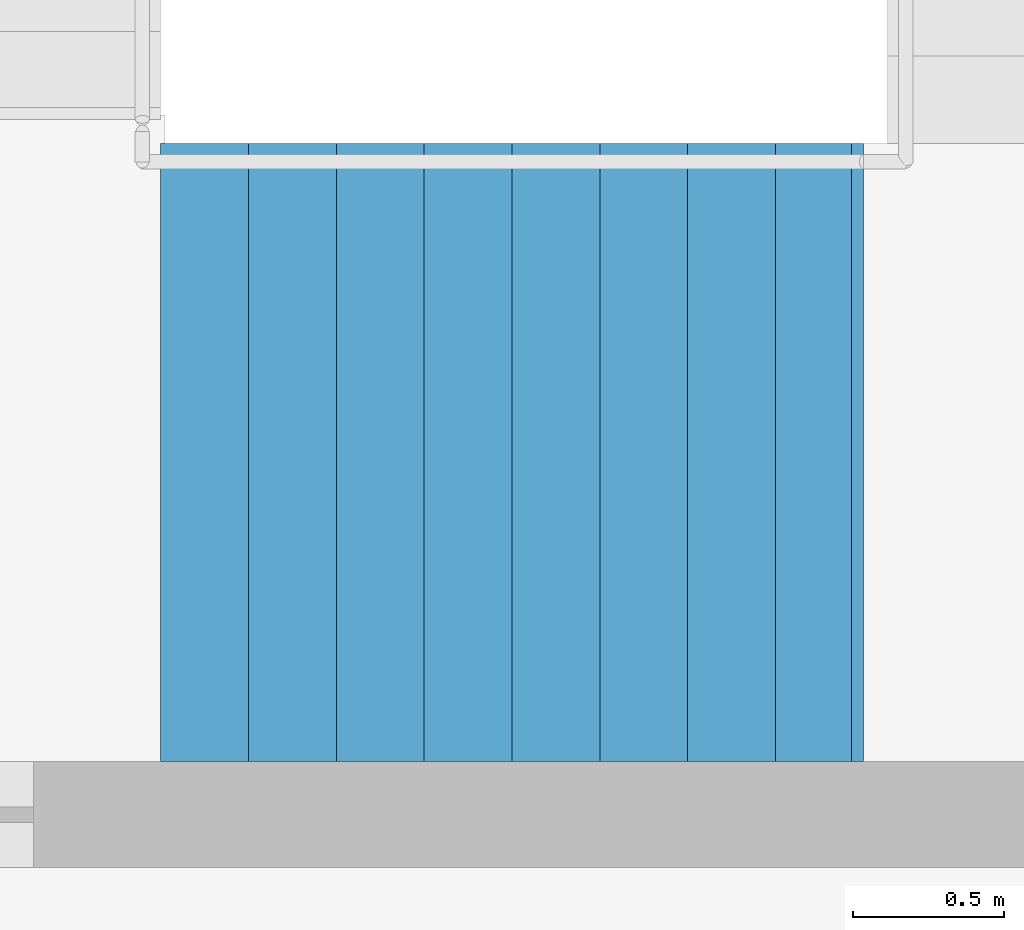
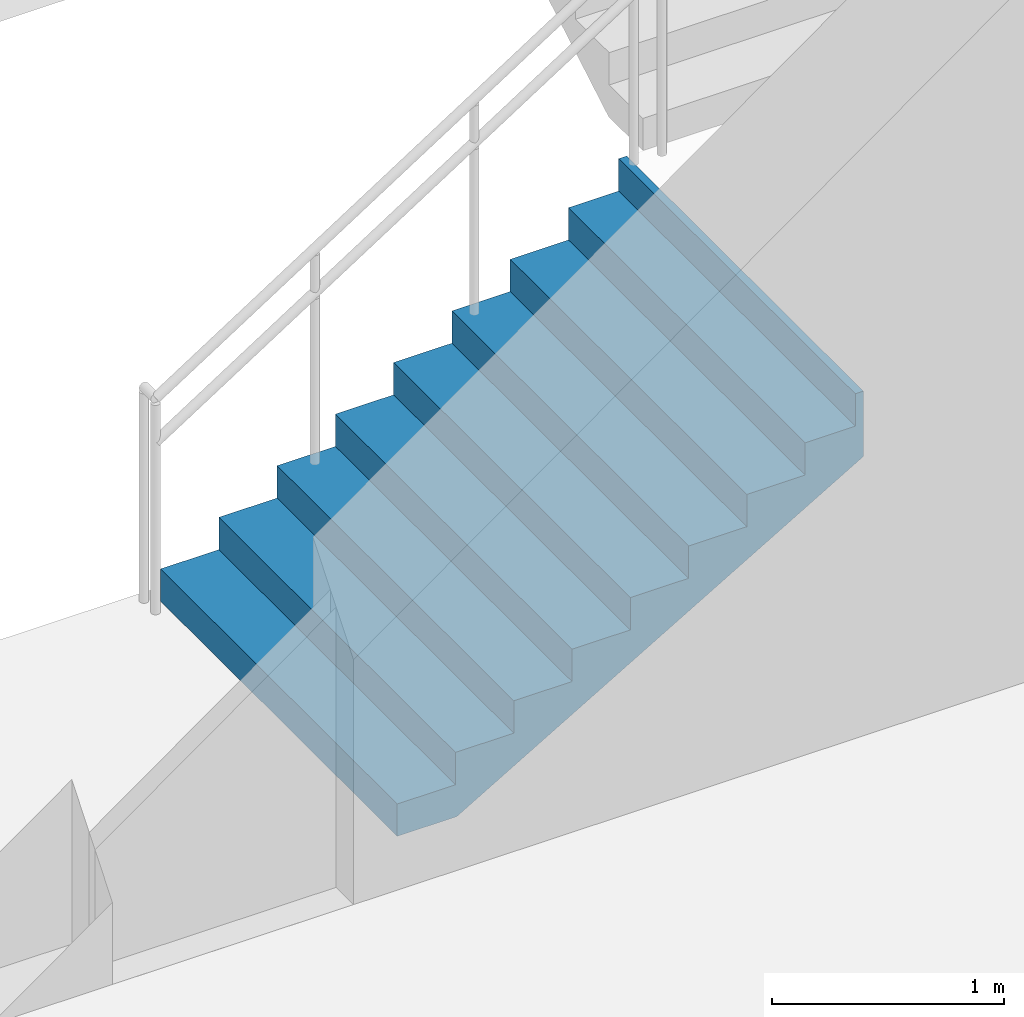
# One storey, part 46 of 58: 1 stair flight, 1 element without a shape of its own.
"""IFC4 building model written with IfcOpenShell, lengths in metres."""

import ifcopenshell
import ifcopenshell.guid

model = None  # the IFC model being written
_history = None  # IfcOwnerHistory: only IFC2X3 demands one
_inside = {}  # id of a spatial element -> (the spatial element, [elements in it])
_under = {}  # id of a project, library or spatial element -> (it, [spatial elements below it])
_declared = {}  # id of a project -> (the project, [libraries it declares])
_typed = {}  # id of a type object -> (the type object, [elements of that type])
_made_of = {}  # id of a material, layer set ... -> (it, [elements and type objects made of it])


def new_model(schema):
    """Start an empty IFC model of exactly this schema.

    Asked for "IFC4X3", IfcOpenShell would pick the latest addendum, in which some entities
    have other attributes; the version numbers below select the first issue.
    IFC2X3 requires an IfcOwnerHistory on every rooted entity: one is made here for all.
    """
    global model, _history
    if schema == "IFC4X3":
        model = ifcopenshell.file(schema_version=(4, 3, 0, 0))
    else:
        model = ifcopenshell.file(schema=schema)
    _inside.clear()
    _under.clear()
    _declared.clear()
    _typed.clear()
    _made_of.clear()
    _history = None
    if model.schema == "IFC2X3":
        org = make("IfcOrganization", Name="unknown")
        user = make(
            "IfcPersonAndOrganization",
            ThePerson=make("IfcPerson", FamilyName="unknown"),
            TheOrganization=org,
        )
        app = make(
            "IfcApplication",
            ApplicationDeveloper=org,
            Version="unknown",
            ApplicationFullName="unknown",
            ApplicationIdentifier="unknown",
        )
        _history = make(
            "IfcOwnerHistory",
            OwningUser=user,
            OwningApplication=app,
            ChangeAction="ADDED",
            CreationDate=0,
        )
    return model


def make(cls, **values):
    """One entity of the class cls with the attributes given. An attribute that is None is left unset."""
    return model.create_entity(
        cls, **{name: value for name, value in values.items() if value is not None}
    )


def rooted(cls, **values):
    """An entity with a GlobalId (a new one), such as an element, a storey or a relation."""
    return make(cls, GlobalId=ifcopenshell.guid.new(), OwnerHistory=_history, **values)


def si_unit(unit_type, name, prefix=None):
    """IfcSIUnit, for example si_unit("LENGTHUNIT", "METRE", prefix="MILLI")."""
    return make("IfcSIUnit", UnitType=unit_type, Prefix=prefix, Name=name)


def assignment(units):
    """IfcUnitAssignment: the units of a project."""
    return None if units is None else make("IfcUnitAssignment", Units=units)


def point(xyz):
    """IfcCartesianPoint."""
    return None if xyz is None else make("IfcCartesianPoint", Coordinates=xyz)


def direction(xyz):
    """IfcDirection."""
    return None if xyz is None else make("IfcDirection", DirectionRatios=xyz)


def frame(location, z_axis=None, x_axis=None):
    """IfcAxis2Placement3D, a coordinate frame: its origin and axes. An axis left out is left unset."""
    return make(
        "IfcAxis2Placement3D",
        Location=point(location),
        Axis=direction(z_axis),
        RefDirection=direction(x_axis),
    )


def origin():
    """The frame at (0, 0, 0) with its axes left unset."""
    return frame((0.0, 0.0, 0.0))


def place(relative_to, where):
    """IfcLocalPlacement: puts the frame where relative to a parent placement (None: the world)."""
    return make(
        "IfcLocalPlacement", PlacementRelTo=relative_to, RelativePlacement=where
    )


def context(
    kind, dimensions, precision=None, world=None, true_north=None, identifier=None
):
    """IfcGeometricRepresentationContext, for example the 3D "Model" context."""
    return make(
        "IfcGeometricRepresentationContext",
        ContextIdentifier=identifier,
        ContextType=kind,
        CoordinateSpaceDimension=dimensions,
        Precision=precision,
        WorldCoordinateSystem=world,
        TrueNorth=true_north,
    )


def subcontext(parent, identifier, kind, view, scale=None):
    """IfcGeometricRepresentationSubContext, for example "Body" below "Model"."""
    return make(
        "IfcGeometricRepresentationSubContext",
        ContextIdentifier=identifier,
        ContextType=kind,
        ParentContext=parent,
        TargetScale=scale,
        TargetView=view,
    )


def project(units=None, contexts=None):
    """IfcProject with its units and contexts."""
    return rooted(
        "IfcProject",
        Name="project",
        RepresentationContexts=contexts,
        UnitsInContext=assignment(units),
    )


def spatial(cls, under=None, at=None, **own):
    """A site, building, storey or space (cls), placed at a placement, below another one or the project."""
    s = rooted(cls, ObjectPlacement=at, **own)
    if under is not None:
        _under.setdefault(under.id(), (under, []))[1].append(s)
    return s


def point_list(points):
    """IfcCartesianPointList2D or 3D."""
    cls = (
        "IfcCartesianPointList2D" if len(points[0]) == 2 else "IfcCartesianPointList3D"
    )
    return make(cls, CoordList=points)


def triangles(points, corners, closed=None, point_numbers=None):
    """IfcTriangulatedFaceSet: each triangle names its three corners, points numbered from 1."""
    return make(
        "IfcTriangulatedFaceSet",
        Coordinates=point_list(points),
        Closed=closed,
        CoordIndex=corners,
        PnIndex=point_numbers,
    )


def shape(context_of_items, identifier, shape_type, items):
    """IfcShapeRepresentation: the items that make up one representation, for example the "Body"."""
    return make(
        "IfcShapeRepresentation",
        ContextOfItems=context_of_items,
        RepresentationIdentifier=identifier,
        RepresentationType=shape_type,
        Items=items,
    )


def material(Name=None, Category=None):
    """IfcMaterial."""
    return make("IfcMaterial", Name=Name, Category=Category)


def made_of(thing, what):
    """Note that an element or type object is made of a material, layer set ...; save() writes the relation."""
    if what is not None:
        _made_of.setdefault(what.id(), (what, []))[1].append(thing)
    return thing


def type_object(cls, material=None, **own):
    """A type object (cls), such as IfcWallType, which elements share."""
    return made_of(rooted(cls, **own), material)


def element(
    cls,
    number,
    at=None,
    inside=None,
    cuts=None,
    type_object=None,
    material=None,
    context=None,
    identifier="Body",
    shape_type=None,
    held_by="IfcProductDefinitionShape",
    body=None,
    shapes=None,
    **own,
):
    """One element of the class cls, such as IfcWall. Its Tag is "e" and its number.

    at: its placement. inside: the storey or other place that contains it. cuts: it is an
    opening in that element (IfcRelVoidsElement). A single representation is given by context,
    identifier, shape_type and body (its items); several are given by shapes. held_by: the class
    of the entity that holds the representations. save() writes the other relations.
    """
    e = rooted(cls, Tag="e%d" % number, ObjectPlacement=at, **own)
    if body is not None:
        shapes = [shape(context, identifier, shape_type, body)]
    if shapes is not None:
        e.Representation = make(held_by, Representations=shapes)
    if inside is not None:
        _inside.setdefault(inside.id(), (inside, []))[1].append(e)
    if cuts is not None:
        rooted(
            "IfcRelVoidsElement", RelatingBuildingElement=cuts, RelatedOpeningElement=e
        )
    if type_object is not None:
        _typed.setdefault(type_object.id(), (type_object, []))[1].append(e)
    return made_of(e, material)


def aggregate(whole, parts):
    """IfcRelAggregates: a whole, such as a stair, and the parts it consists of."""
    return rooted("IfcRelAggregates", RelatingObject=whole, RelatedObjects=parts)


def save(model, path):
    """Write the relations noted so far, then the file.

    IfcRelAggregates (storeys below a building ...), IfcRelContainedInSpatialStructure (elements
    in a storey), IfcRelDefinesByType, IfcRelAssociatesMaterial and IfcRelDeclares: one each for
    every whole, place, type object, material and project.
    """
    for whole, parts in _under.values():
        aggregate(whole, parts)
    for where, things in _inside.values():
        rooted(
            "IfcRelContainedInSpatialStructure",
            RelatedElements=things,
            RelatingStructure=where,
        )
    for kind, things in _typed.values():
        rooted("IfcRelDefinesByType", RelatedObjects=things, RelatingType=kind)
    for what, things in _made_of.values():
        rooted("IfcRelAssociatesMaterial", RelatedObjects=things, RelatingMaterial=what)
    for by, libraries in _declared.values():
        rooted("IfcRelDeclares", RelatingContext=by, RelatedDefinitions=libraries)
    model.write(path)


model = new_model("IFC4")

# Units and contexts
model_context = context("Model", 3, precision=1e-05, world=origin(), true_north=direction((0.0, 1.0)))
body_context = subcontext(model_context, "Body", "Model", "MODEL_VIEW")
ifc_project = project(units=[si_unit("LENGTHUNIT", "METRE"), si_unit("AREAUNIT", "SQUARE_METRE"), si_unit("VOLUMEUNIT", "CUBIC_METRE"), si_unit("PLANEANGLEUNIT", "RADIAN"), si_unit("MASSUNIT", "GRAM", prefix="KILO")], contexts=[model_context])

# Site, building, storey
site_placement = place(None, origin())
site = spatial("IfcSite", under=ifc_project, at=site_placement, CompositionType="ELEMENT")
building_placement = place(site_placement, origin())
building = spatial("IfcBuilding", under=site, at=building_placement, Name="Sillaruma Civic Art Gallery", CompositionType="ELEMENT")
storey_placement = place(building_placement, frame((0.0, 0.0, 22.43994140625)))
storey = spatial("IfcBuildingStorey", under=building, at=storey_placement, Name="L04", CompositionType="ELEMENT", Elevation=22.43994140625)

# Stair, stair flight
ifc_material = material(Name="Concrete H35 (35 MPa)", Category="concrete")
stair_type = type_object("IfcStairType", Name="STR-4F-36", PredefinedType="USERDEFINED", material=ifc_material)
stair_placement = place(storey_placement, origin())
stair = element("IfcStair", 1, at=stair_placement, inside=storey, type_object=stair_type, Name="Protected Exit Stair ST-04 (East Bar) (L04)", ObjectType="THREE_RETURN_STAIR", PredefinedType="USERDEFINED")
stair_flight_type = type_object("IfcStairFlightType", Name="SFL-STR-9", PredefinedType="STRAIGHT", material=ifc_material)
stair_flight_placement = place(storey_placement, frame((100.89990234375, 52.22998046875, 0.0), z_axis=(0.0, 0.0, 1.0), x_axis=(1.0, 0.0, 0.0)))
stair_flight = element("IfcStairFlight", 2, at=stair_flight_placement, type_object=stair_flight_type, Name="ST-04 flight 1", NumberOfRisers=9, NumberOfTreads=8, PredefinedType="STRAIGHT", RiserHeight=0.17, TreadLength=0.29, context=body_context, shape_type="Tessellation", body=[
    triangles([(0.0, -1.02001953125, 0.0), (0.29, -1.02001953125, 0.0), (0.296482, -1.02001953125, 0.0), (0.58, -1.02001953125, 0.1662), (0.87, -1.02001953125, 0.3362), (1.16, -1.02001953125, 0.5062), (1.45, -1.02001953125, 0.6762), (1.74, -1.02001953125, 0.8462), (2.03, -1.02001953125, 1.0162), (2.280068, -1.02001953125, 1.162792), (2.320068, -1.02001953125, 1.18624), (2.320068, -1.02001953125, 1.53), (2.280068, -1.02001953125, 1.53), (2.280068, -1.02001953125, 1.36), (2.03, -1.02001953125, 1.36), (2.03, -1.02001953125, 1.19), (1.74, -1.02001953125, 1.19), (1.74, -1.02001953125, 1.02), (1.45, -1.02001953125, 1.02), (1.45, -1.02001953125, 0.85), (1.16, -1.02001953125, 0.85), (1.16, -1.02001953125, 0.68), (0.87, -1.02001953125, 0.68), (0.87, -1.02001953125, 0.51), (0.58, -1.02001953125, 0.51), (0.58, -1.02001953125, 0.34), (0.296482, -1.02001953125, 0.34), (0.29, -1.02001953125, 0.34), (0.29, -1.02001953125, 0.17), (0.0, -1.02001953125, 0.17), (0.0, -0.05, 0.0), (0.29, -0.05, 0.0), (0.296482, -0.05, 0.0), (0.58, -0.05, 0.1662), (0.87, -0.05, 0.3362), (1.16, -0.05, 0.5062), (1.45, -0.05, 0.6762), (1.74, -0.05, 0.8462), (2.03, -0.05, 1.0162), (2.280068, -0.05, 1.162792), (2.320068, -0.05, 1.18624), (2.320068, -0.05, 1.53), (2.280068, -0.05, 1.53), (2.280068, -0.05, 1.36), (2.03, -0.05, 1.36), (2.03, -0.05, 1.19), (1.74, -0.05, 1.19), (1.74, -0.05, 1.02), (1.45, -0.05, 1.02), (1.45, -0.05, 0.85), (1.16, -0.05, 0.85), (1.16, -0.05, 0.68), (0.87, -0.05, 0.68), (0.87, -0.05, 0.51), (0.58, -0.05, 0.51), (0.58, -0.05, 0.34), (0.296482, -0.05, 0.34), (0.29, -0.05, 0.34), (0.29, -0.05, 0.17), (0.0, -0.05, 0.17), (0.0, -0.0375, 0.0), (0.29, -0.0375, 0.0), (0.296482, -0.0375, 0.0), (0.58, -0.0375, 0.1662), (0.87, -0.0375, 0.3362), (1.16, -0.0375, 0.5062), (1.45, -0.0375, 0.6762), (1.74, -0.0375, 0.8462), (2.03, -0.0375, 1.0162), (2.280068, -0.0375, 1.162792), (2.320068, -0.0375, 1.18624), (2.320068, -0.0375, 1.53), (2.280068, -0.0375, 1.53), (2.280068, -0.0375, 1.36), (2.03, -0.0375, 1.36), (2.03, -0.0375, 1.19), (1.74, -0.0375, 1.19), (1.74, -0.0375, 1.02), (1.45, -0.0375, 1.02), (1.45, -0.0375, 0.85), (1.16, -0.0375, 0.85), (1.16, -0.0375, 0.68), (0.87, -0.0375, 0.68), (0.87, -0.0375, 0.51), (0.58, -0.0375, 0.51), (0.58, -0.0375, 0.34), (0.296482, -0.0375, 0.34), (0.29, -0.0375, 0.34), (0.29, -0.0375, 0.17), (0.0, -0.0375, 0.17), (0.0, -0.025, 0.0), (0.29, -0.025, 0.0), (0.296482, -0.025, 0.0), (0.58, -0.025, 0.1662), (0.87, -0.025, 0.3362), (1.16, -0.025, 0.5062), (1.45, -0.025, 0.6762), (1.74, -0.025, 0.8462), (2.03, -0.025, 1.0162), (2.280068, -0.025, 1.162792), (2.320068, -0.025, 1.18624), (2.320068, -0.025, 1.53), (2.280068, -0.025, 1.53), (2.280068, -0.025, 1.36), (2.03, -0.025, 1.36), (2.03, -0.025, 1.19), (1.74, -0.025, 1.19), (1.74, -0.025, 1.02), (1.45, -0.025, 1.02), (1.45, -0.025, 0.85), (1.16, -0.025, 0.85), (1.16, -0.025, 0.68), (0.87, -0.025, 0.68), (0.87, -0.025, 0.51), (0.58, -0.025, 0.51), (0.58, -0.025, 0.34), (0.296482, -0.025, 0.34), (0.29, -0.025, 0.34), (0.29, -0.025, 0.17), (0.0, -0.025, 0.17), (0.0, -0.0125, 0.0), (0.29, -0.0125, 0.0), (0.296482, -0.0125, 0.0), (0.58, -0.0125, 0.1662), (0.87, -0.0125, 0.3362), (1.16, -0.0125, 0.5062), (1.45, -0.0125, 0.6762), (1.74, -0.0125, 0.8462), (2.03, -0.0125, 1.0162), (2.280068, -0.0125, 1.162792), (2.320068, -0.0125, 1.18624), (2.320068, -0.0125, 1.53), (2.280068, -0.0125, 1.53), (2.280068, -0.0125, 1.36), (2.03, -0.0125, 1.36), (2.03, -0.0125, 1.19), (1.74, -0.0125, 1.19), (1.74, -0.0125, 1.02), (1.45, -0.0125, 1.02), (1.45, -0.0125, 0.85), (1.16, -0.0125, 0.85), (1.16, -0.0125, 0.68), (0.87, -0.0125, 0.68), (0.87, -0.0125, 0.51), (0.58, -0.0125, 0.51), (0.58, -0.0125, 0.34), (0.296482, -0.0125, 0.34), (0.29, -0.0125, 0.34), (0.29, -0.0125, 0.17), (0.0, -0.0125, 0.17), (0.0, 0.0, 0.0), (0.29, 0.0, 0.0), (0.296482, 0.0, 0.0), (0.58, 0.0, 0.1662), (0.87, 0.0, 0.3362), (1.16, 0.0, 0.5062), (1.45, 0.0, 0.6762), (1.74, 0.0, 0.8462), (2.03, 0.0, 1.0162), (2.280068, 0.0, 1.162792), (2.320068, 0.0, 1.18624), (2.320068, 0.0, 1.53), (2.280068, 0.0, 1.53), (2.280068, 0.0, 1.36), (2.03, 0.0, 1.36), (2.03, 0.0, 1.19), (1.74, 0.0, 1.19), (1.74, 0.0, 1.02), (1.45, 0.0, 1.02), (1.45, 0.0, 0.85), (1.16, 0.0, 0.85), (1.16, 0.0, 0.68), (0.87, 0.0, 0.68), (0.87, 0.0, 0.51), (0.58, 0.0, 0.51), (0.58, 0.0, 0.34), (0.296482, 0.0, 0.34), (0.29, 0.0, 0.34), (0.29, 0.0, 0.17), (0.0, 0.0, 0.17), (0.0, 0.0125, 0.0), (0.29, 0.0125, 0.0), (0.296482, 0.0125, 0.0), (0.58, 0.0125, 0.1662), (0.87, 0.0125, 0.3362), (1.16, 0.0125, 0.5062), (1.45, 0.0125, 0.6762), (1.74, 0.0125, 0.8462), (2.03, 0.0125, 1.0162), (2.280068, 0.0125, 1.162792), (2.320068, 0.0125, 1.18624), (2.320068, 0.0125, 1.53), (2.280068, 0.0125, 1.53), (2.280068, 0.0125, 1.36), (2.03, 0.0125, 1.36), (2.03, 0.0125, 1.19), (1.74, 0.0125, 1.19), (1.74, 0.0125, 1.02), (1.45, 0.0125, 1.02), (1.45, 0.0125, 0.85), (1.16, 0.0125, 0.85), (1.16, 0.0125, 0.68), (0.87, 0.0125, 0.68), (0.87, 0.0125, 0.51), (0.58, 0.0125, 0.51), (0.58, 0.0125, 0.34), (0.296482, 0.0125, 0.34), (0.29, 0.0125, 0.34), (0.29, 0.0125, 0.17), (0.0, 0.0125, 0.17), (0.0, 0.025, 0.0), (0.29, 0.025, 0.0), (0.296482, 0.025, 0.0), (0.58, 0.025, 0.1662), (0.87, 0.025, 0.3362), (1.16, 0.025, 0.5062), (1.45, 0.025, 0.6762), (1.74, 0.025, 0.8462), (2.03, 0.025, 1.0162), (2.280068, 0.025, 1.162792), (2.320068, 0.025, 1.18624), (2.320068, 0.025, 1.53), (2.280068, 0.025, 1.53), (2.280068, 0.025, 1.36), (2.03, 0.025, 1.36), (2.03, 0.025, 1.19), (1.74, 0.025, 1.19), (1.74, 0.025, 1.02), (1.45, 0.025, 1.02), (1.45, 0.025, 0.85), (1.16, 0.025, 0.85), (1.16, 0.025, 0.68), (0.87, 0.025, 0.68), (0.87, 0.025, 0.51), (0.58, 0.025, 0.51), (0.58, 0.025, 0.34), (0.296482, 0.025, 0.34), (0.29, 0.025, 0.34), (0.29, 0.025, 0.17), (0.0, 0.025, 0.17), (0.0, 0.0375, 0.0), (0.29, 0.0375, 0.0), (0.296482, 0.0375, 0.0), (0.58, 0.0375, 0.1662), (0.87, 0.0375, 0.3362), (1.16, 0.0375, 0.5062), (1.45, 0.0375, 0.6762), (1.74, 0.0375, 0.8462), (2.03, 0.0375, 1.0162), (2.280068, 0.0375, 1.162792), (2.320068, 0.0375, 1.18624), (2.320068, 0.0375, 1.53), (2.280068, 0.0375, 1.53), (2.280068, 0.0375, 1.36), (2.03, 0.0375, 1.36), (2.03, 0.0375, 1.19), (1.74, 0.0375, 1.19), (1.74, 0.0375, 1.02), (1.45, 0.0375, 1.02), (1.45, 0.0375, 0.85), (1.16, 0.0375, 0.85), (1.16, 0.0375, 0.68), (0.87, 0.0375, 0.68), (0.87, 0.0375, 0.51), (0.58, 0.0375, 0.51), (0.58, 0.0375, 0.34), (0.296482, 0.0375, 0.34), (0.29, 0.0375, 0.34), (0.29, 0.0375, 0.17), (0.0, 0.0375, 0.17), (0.0, 0.05, 0.0), (0.29, 0.05, 0.0), (0.296482, 0.05, 0.0), (0.58, 0.05, 0.1662), (0.87, 0.05, 0.3362), (1.16, 0.05, 0.5062), (1.45, 0.05, 0.6762), (1.74, 0.05, 0.8462), (2.03, 0.05, 1.0162), (2.280068, 0.05, 1.162792), (2.320068, 0.05, 1.18624), (2.320068, 0.05, 1.53), (2.280068, 0.05, 1.53), (2.280068, 0.05, 1.36), (2.03, 0.05, 1.36), (2.03, 0.05, 1.19), (1.74, 0.05, 1.19), (1.74, 0.05, 1.02), (1.45, 0.05, 1.02), (1.45, 0.05, 0.85), (1.16, 0.05, 0.85), (1.16, 0.05, 0.68), (0.87, 0.05, 0.68), (0.87, 0.05, 0.51), (0.58, 0.05, 0.51), (0.58, 0.05, 0.34), (0.296482, 0.05, 0.34), (0.29, 0.05, 0.34), (0.29, 0.05, 0.17), (0.0, 0.05, 0.17), (0.0, 1.02001953125, 0.0), (0.29, 1.02001953125, 0.0), (0.296482, 1.02001953125, 0.0), (0.58, 1.02001953125, 0.1662), (0.87, 1.02001953125, 0.3362), (1.16, 1.02001953125, 0.5062), (1.45, 1.02001953125, 0.6762), (1.74, 1.02001953125, 0.8462), (2.03, 1.02001953125, 1.0162), (2.280068, 1.02001953125, 1.162792), (2.320068, 1.02001953125, 1.18624), (2.320068, 1.02001953125, 1.53), (2.280068, 1.02001953125, 1.53), (2.280068, 1.02001953125, 1.36), (2.03, 1.02001953125, 1.36), (2.03, 1.02001953125, 1.19), (1.74, 1.02001953125, 1.19), (1.74, 1.02001953125, 1.02), (1.45, 1.02001953125, 1.02), (1.45, 1.02001953125, 0.85), (1.16, 1.02001953125, 0.85), (1.16, 1.02001953125, 0.68), (0.87, 1.02001953125, 0.68), (0.87, 1.02001953125, 0.51), (0.58, 1.02001953125, 0.51), (0.58, 1.02001953125, 0.34), (0.296482, 1.02001953125, 0.34), (0.29, 1.02001953125, 0.34), (0.29, 1.02001953125, 0.17), (0.0, 1.02001953125, 0.17)], [[1, 2, 29], [1, 29, 30], [2, 3, 27], [2, 27, 29], [29, 27, 28], [3, 4, 26], [3, 26, 27], [4, 5, 24], [4, 24, 26], [26, 24, 25], [5, 6, 22], [5, 22, 24], [24, 22, 23], [6, 7, 20], [6, 20, 22], [22, 20, 21], [7, 8, 18], [7, 18, 20], [20, 18, 19], [8, 9, 16], [8, 16, 18], [18, 16, 17], [9, 10, 14], [9, 14, 16], [16, 14, 15], [10, 11, 12], [10, 12, 14], [14, 12, 13], [329, 302, 301], [330, 329, 301], [327, 303, 302], [329, 327, 302], [328, 327, 329], [326, 304, 303], [327, 326, 303], [324, 305, 304], [326, 324, 304], [325, 324, 326], [322, 306, 305], [324, 322, 305], [323, 322, 324], [320, 307, 306], [322, 320, 306], [321, 320, 322], [318, 308, 307], [320, 318, 307], [319, 318, 320], [316, 309, 308], [318, 316, 308], [317, 316, 318], [314, 310, 309], [316, 314, 309], [315, 314, 316], [312, 311, 310], [314, 312, 310], [313, 312, 314], [2, 1, 31], [2, 31, 32], [3, 2, 32], [3, 32, 33], [4, 3, 33], [4, 33, 34], [5, 4, 34], [5, 34, 35], [6, 5, 35], [6, 35, 36], [7, 6, 36], [7, 36, 37], [8, 7, 37], [8, 37, 38], [9, 8, 38], [9, 38, 39], [10, 9, 39], [10, 39, 40], [11, 10, 40], [11, 40, 41], [12, 11, 41], [12, 41, 42], [13, 12, 42], [13, 42, 43], [14, 13, 43], [14, 43, 44], [15, 14, 44], [15, 44, 45], [16, 15, 45], [16, 45, 46], [17, 16, 46], [17, 46, 47], [18, 17, 47], [18, 47, 48], [19, 18, 48], [19, 48, 49], [20, 19, 49], [20, 49, 50], [21, 20, 50], [21, 50, 51], [22, 21, 51], [22, 51, 52], [23, 22, 52], [23, 52, 53], [24, 23, 53], [24, 53, 54], [25, 24, 54], [25, 54, 55], [26, 25, 55], [26, 55, 56], [27, 26, 56], [27, 56, 57], [28, 27, 57], [28, 57, 58], [29, 28, 58], [29, 58, 59], [30, 29, 59], [30, 59, 60], [1, 30, 60], [1, 60, 31], [32, 31, 61], [32, 61, 62], [33, 32, 62], [33, 62, 63], [34, 33, 63], [34, 63, 64], [35, 34, 64], [35, 64, 65], [36, 35, 65], [36, 65, 66], [37, 36, 66], [37, 66, 67], [38, 37, 67], [38, 67, 68], [39, 38, 68], [39, 68, 69], [40, 39, 69], [40, 69, 70], [41, 40, 70], [41, 70, 71], [42, 41, 71], [42, 71, 72], [43, 42, 72], [43, 72, 73], [44, 43, 73], [44, 73, 74], [45, 44, 74], [45, 74, 75], [46, 45, 75], [46, 75, 76], [47, 46, 76], [47, 76, 77], [48, 47, 77], [48, 77, 78], [49, 48, 78], [49, 78, 79], [50, 49, 79], [50, 79, 80], [51, 50, 80], [51, 80, 81], [52, 51, 81], [52, 81, 82], [53, 52, 82], [53, 82, 83], [54, 53, 83], [54, 83, 84], [55, 54, 84], [55, 84, 85], [56, 55, 85], [56, 85, 86], [57, 56, 86], [57, 86, 87], [58, 57, 87], [58, 87, 88], [59, 58, 88], [59, 88, 89], [60, 59, 89], [60, 89, 90], [31, 60, 90], [31, 90, 61], [62, 61, 91], [62, 91, 92], [63, 62, 92], [63, 92, 93], [64, 63, 93], [64, 93, 94], [65, 64, 94], [65, 94, 95], [66, 65, 95], [66, 95, 96], [67, 66, 96], [67, 96, 97], [68, 67, 97], [68, 97, 98], [69, 68, 98], [69, 98, 99], [70, 69, 99], [70, 99, 100], [71, 70, 100], [71, 100, 101], [72, 71, 101], [72, 101, 102], [73, 72, 102], [73, 102, 103], [74, 73, 103], [74, 103, 104], [75, 74, 104], [75, 104, 105], [76, 75, 105], [76, 105, 106], [77, 76, 106], [77, 106, 107], [78, 77, 107], [78, 107, 108], [79, 78, 108], [79, 108, 109], [80, 79, 109], [80, 109, 110], [81, 80, 110], [81, 110, 111], [82, 81, 111], [82, 111, 112], [83, 82, 112], [83, 112, 113], [84, 83, 113], [84, 113, 114], [85, 84, 114], [85, 114, 115], [86, 85, 115], [86, 115, 116], [87, 86, 116], [87, 116, 117], [88, 87, 117], [88, 117, 118], [89, 88, 118], [89, 118, 119], [90, 89, 119], [90, 119, 120], [61, 90, 120], [61, 120, 91], [92, 91, 121], [92, 121, 122], [93, 92, 122], [93, 122, 123], [94, 93, 123], [94, 123, 124], [95, 94, 124], [95, 124, 125], [96, 95, 125], [96, 125, 126], [97, 96, 126], [97, 126, 127], [98, 97, 127], [98, 127, 128], [99, 98, 128], [99, 128, 129], [100, 99, 129], [100, 129, 130], [101, 100, 130], [101, 130, 131], [102, 101, 131], [102, 131, 132], [103, 102, 132], [103, 132, 133], [104, 103, 133], [104, 133, 134], [105, 104, 134], [105, 134, 135], [106, 105, 135], [106, 135, 136], [107, 106, 136], [107, 136, 137], [108, 107, 137], [108, 137, 138], [109, 108, 138], [109, 138, 139], [110, 109, 139], [110, 139, 140], [111, 110, 140], [111, 140, 141], [112, 111, 141], [112, 141, 142], [113, 112, 142], [113, 142, 143], [114, 113, 143], [114, 143, 144], [115, 114, 144], [115, 144, 145], [116, 115, 145], [116, 145, 146], [117, 116, 146], [117, 146, 147], [118, 117, 147], [118, 147, 148], [119, 118, 148], [119, 148, 149], [120, 119, 149], [120, 149, 150], [91, 120, 150], [91, 150, 121], [122, 121, 151], [122, 151, 152], [123, 122, 152], [123, 152, 153], [124, 123, 153], [124, 153, 154], [125, 124, 154], [125, 154, 155], [126, 125, 155], [126, 155, 156], [127, 126, 156], [127, 156, 157], [128, 127, 157], [128, 157, 158], [129, 128, 158], [129, 158, 159], [130, 129, 159], [130, 159, 160], [131, 130, 160], [131, 160, 161], [132, 131, 161], [132, 161, 162], [133, 132, 162], [133, 162, 163], [134, 133, 163], [134, 163, 164], [135, 134, 164], [135, 164, 165], [136, 135, 165], [136, 165, 166], [137, 136, 166], [137, 166, 167], [138, 137, 167], [138, 167, 168], [139, 138, 168], [139, 168, 169], [140, 139, 169], [140, 169, 170], [141, 140, 170], [141, 170, 171], [142, 141, 171], [142, 171, 172], [143, 142, 172], [143, 172, 173], [144, 143, 173], [144, 173, 174], [145, 144, 174], [145, 174, 175], [146, 145, 175], [146, 175, 176], [147, 146, 176], [147, 176, 177], [148, 147, 177], [148, 177, 178], [149, 148, 178], [149, 178, 179], [150, 149, 179], [150, 179, 180], [121, 150, 180], [121, 180, 151], [152, 151, 181], [152, 181, 182], [153, 152, 182], [153, 182, 183], [154, 153, 183], [154, 183, 184], [155, 154, 184], [155, 184, 185], [156, 155, 185], [156, 185, 186], [157, 156, 186], [157, 186, 187], [158, 157, 187], [158, 187, 188], [159, 158, 188], [159, 188, 189], [160, 159, 189], [160, 189, 190], [161, 160, 190], [161, 190, 191], [162, 161, 191], [162, 191, 192], [163, 162, 192], [163, 192, 193], [164, 163, 193], [164, 193, 194], [165, 164, 194], [165, 194, 195], [166, 165, 195], [166, 195, 196], [167, 166, 196], [167, 196, 197], [168, 167, 197], [168, 197, 198], [169, 168, 198], [169, 198, 199], [170, 169, 199], [170, 199, 200], [171, 170, 200], [171, 200, 201], [172, 171, 201], [172, 201, 202], [173, 172, 202], [173, 202, 203], [174, 173, 203], [174, 203, 204], [175, 174, 204], [175, 204, 205], [176, 175, 205], [176, 205, 206], [177, 176, 206], [177, 206, 207], [178, 177, 207], [178, 207, 208], [179, 178, 208], [179, 208, 209], [180, 179, 209], [180, 209, 210], [151, 180, 210], [151, 210, 181], [182, 181, 211], [182, 211, 212], [183, 182, 212], [183, 212, 213], [184, 183, 213], [184, 213, 214], [185, 184, 214], [185, 214, 215], [186, 185, 215], [186, 215, 216], [187, 186, 216], [187, 216, 217], [188, 187, 217], [188, 217, 218], [189, 188, 218], [189, 218, 219], [190, 189, 219], [190, 219, 220], [191, 190, 220], [191, 220, 221], [192, 191, 221], [192, 221, 222], [193, 192, 222], [193, 222, 223], [194, 193, 223], [194, 223, 224], [195, 194, 224], [195, 224, 225], [196, 195, 225], [196, 225, 226], [197, 196, 226], [197, 226, 227], [198, 197, 227], [198, 227, 228], [199, 198, 228], [199, 228, 229], [200, 199, 229], [200, 229, 230], [201, 200, 230], [201, 230, 231], [202, 201, 231], [202, 231, 232], [203, 202, 232], [203, 232, 233], [204, 203, 233], [204, 233, 234], [205, 204, 234], [205, 234, 235], [206, 205, 235], [206, 235, 236], [207, 206, 236], [207, 236, 237], [208, 207, 237], [208, 237, 238], [209, 208, 238], [209, 238, 239], [210, 209, 239], [210, 239, 240], [181, 210, 240], [181, 240, 211], [212, 211, 241], [212, 241, 242], [213, 212, 242], [213, 242, 243], [214, 213, 243], [214, 243, 244], [215, 214, 244], [215, 244, 245], [216, 215, 245], [216, 245, 246], [217, 216, 246], [217, 246, 247], [218, 217, 247], [218, 247, 248], [219, 218, 248], [219, 248, 249], [220, 219, 249], [220, 249, 250], [221, 220, 250], [221, 250, 251], [222, 221, 251], [222, 251, 252], [223, 222, 252], [223, 252, 253], [224, 223, 253], [224, 253, 254], [225, 224, 254], [225, 254, 255], [226, 225, 255], [226, 255, 256], [227, 226, 256], [227, 256, 257], [228, 227, 257], [228, 257, 258], [229, 228, 258], [229, 258, 259], [230, 229, 259], [230, 259, 260], [231, 230, 260], [231, 260, 261], [232, 231, 261], [232, 261, 262], [233, 232, 262], [233, 262, 263], [234, 233, 263], [234, 263, 264], [235, 234, 264], [235, 264, 265], [236, 235, 265], [236, 265, 266], [237, 236, 266], [237, 266, 267], [238, 237, 267], [238, 267, 268], [239, 238, 268], [239, 268, 269], [240, 239, 269], [240, 269, 270], [211, 240, 270], [211, 270, 241], [242, 241, 271], [242, 271, 272], [243, 242, 272], [243, 272, 273], [244, 243, 273], [244, 273, 274], [245, 244, 274], [245, 274, 275], [246, 245, 275], [246, 275, 276], [247, 246, 276], [247, 276, 277], [248, 247, 277], [248, 277, 278], [249, 248, 278], [249, 278, 279], [250, 249, 279], [250, 279, 280], [251, 250, 280], [251, 280, 281], [252, 251, 281], [252, 281, 282], [253, 252, 282], [253, 282, 283], [254, 253, 283], [254, 283, 284], [255, 254, 284], [255, 284, 285], [256, 255, 285], [256, 285, 286], [257, 256, 286], [257, 286, 287], [258, 257, 287], [258, 287, 288], [259, 258, 288], [259, 288, 289], [260, 259, 289], [260, 289, 290], [261, 260, 290], [261, 290, 291], [262, 261, 291], [262, 291, 292], [263, 262, 292], [263, 292, 293], [264, 263, 293], [264, 293, 294], [265, 264, 294], [265, 294, 295], [266, 265, 295], [266, 295, 296], [267, 266, 296], [267, 296, 297], [268, 267, 297], [268, 297, 298], [269, 268, 298], [269, 298, 299], [270, 269, 299], [270, 299, 300], [241, 270, 300], [241, 300, 271], [272, 271, 301], [272, 301, 302], [273, 272, 302], [273, 302, 303], [274, 273, 303], [274, 303, 304], [275, 274, 304], [275, 304, 305], [276, 275, 305], [276, 305, 306], [277, 276, 306], [277, 306, 307], [278, 277, 307], [278, 307, 308], [279, 278, 308], [279, 308, 309], [280, 279, 309], [280, 309, 310], [281, 280, 310], [281, 310, 311], [282, 281, 311], [282, 311, 312], [283, 282, 312], [283, 312, 313], [284, 283, 313], [284, 313, 314], [285, 284, 314], [285, 314, 315], [286, 285, 315], [286, 315, 316], [287, 286, 316], [287, 316, 317], [288, 287, 317], [288, 317, 318], [289, 288, 318], [289, 318, 319], [290, 289, 319], [290, 319, 320], [291, 290, 320], [291, 320, 321], [292, 291, 321], [292, 321, 322], [293, 292, 322], [293, 322, 323], [294, 293, 323], [294, 323, 324], [295, 294, 324], [295, 324, 325], [296, 295, 325], [296, 325, 326], [297, 296, 326], [297, 326, 327], [298, 297, 327], [298, 327, 328], [299, 298, 328], [299, 328, 329], [300, 299, 329], [300, 329, 330], [271, 300, 330], [271, 330, 301]], closed=True),
])
aggregate(stair, [stair_flight])

save(model, "model.ifc")
